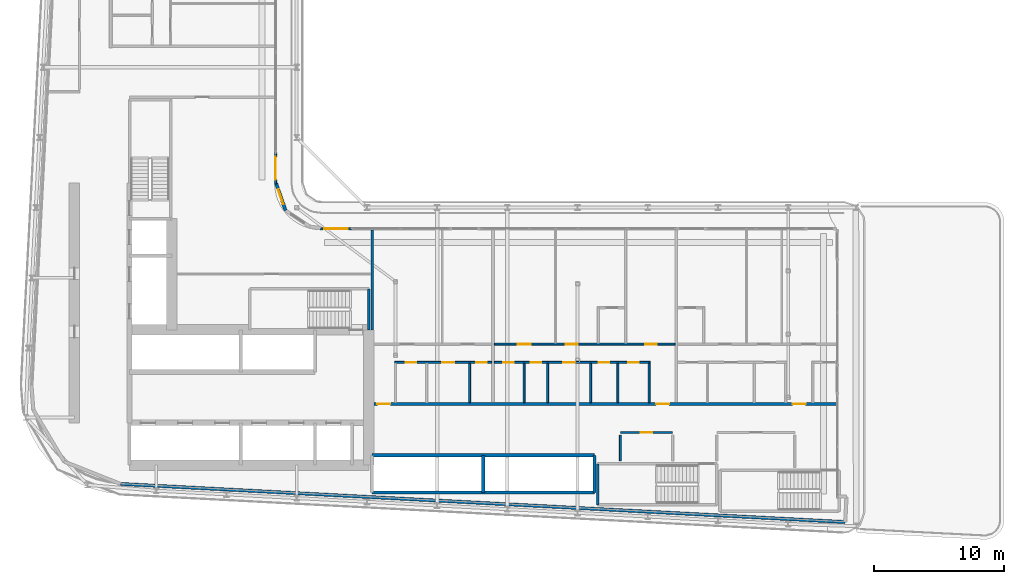
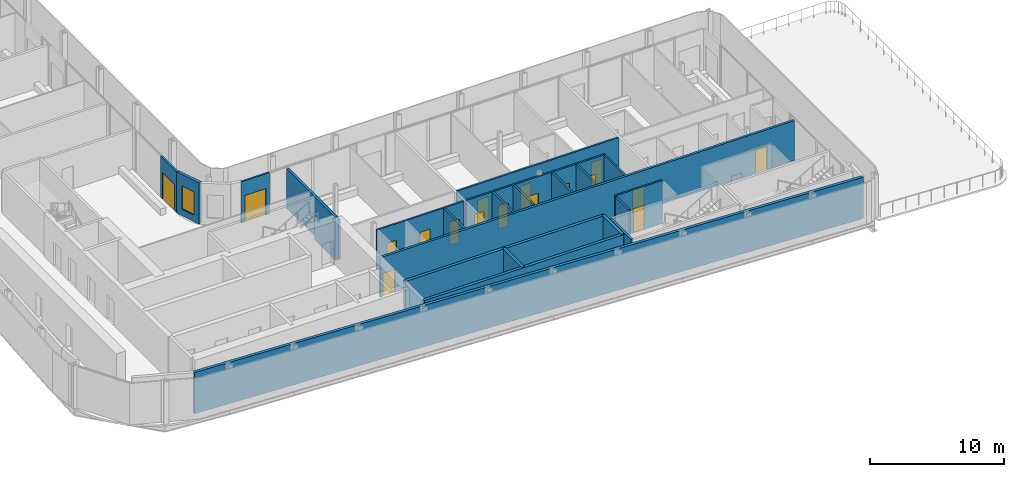
# One storey, part 14 of 27: 23 walls, 17 doors, 1 window, 18 openings.
"""IFC4 building model written with IfcOpenShell, lengths in metres."""

from ifc_helpers import new_model, si_unit, direction, frame, frame_2d, origin, place, context, subcontext, project, spatial, rectangle, extrude, source, transform, mapped, material, layer, layer_set, type_object, element, fill, save


model = new_model("IFC4")

# Units and contexts
model_context = context("Model", 3, precision=1e-05, world=origin(), true_north=direction((0.0, 1.0)))
body_context = subcontext(model_context, "Body", "Model", "MODEL_VIEW")
ifc_project = project(units=[si_unit("LENGTHUNIT", "METRE"), si_unit("AREAUNIT", "SQUARE_METRE"), si_unit("VOLUMEUNIT", "CUBIC_METRE"), si_unit("PLANEANGLEUNIT", "RADIAN"), si_unit("MASSUNIT", "GRAM", prefix="KILO")], contexts=[model_context])

# Site, building, storey
site_placement = place(None, origin())
site = spatial("IfcSite", under=ifc_project, at=site_placement, CompositionType="ELEMENT")
building_placement = place(site_placement, origin())
building = spatial("IfcBuilding", under=site, at=building_placement, Name="Kheshtan School and Residences Tower", CompositionType="ELEMENT")
storey_placement = place(building_placement, frame((0.0, 0.0, 152.60009765625)))
storey = spatial("IfcBuildingStorey", under=building, at=storey_placement, Name="L35", CompositionType="ELEMENT", Elevation=152.60009765625)

# Wall, openings, doors
ifc_material_1 = material(Name="Gypsum board on steel studs with fire boards", Category="steel")
ifc_layer_1 = layer(ifc_material_1, 0.199951171875)
ifc_layer_set_1 = layer_set([ifc_layer_1], Name="Corridor wall 200")
wall_type_1 = type_object("IfcWallType", Name="Corridor wall 200", PredefinedType="PARTITIONING", material=ifc_layer_set_1)
wall_1_placement = place(storey_placement, frame((53.549072265625, 30.5, 0.0), z_axis=(0.0, 0.0, 1.0), x_axis=(1.0, 0.0, 0.0)))
wall_1 = element("IfcWall", 1, at=wall_1_placement, inside=storey, type_object=wall_type_1, Name="Partition L35-031", PredefinedType="PARTITIONING", context=body_context, shape_type="SweptSolid", body=[
    extrude(rectangle(XDim=35.551025390625, YDim=0.199951171875, at=frame_2d((17.775390625, 0.0))), origin(), (0.0, 0.0, 1.0), 3.599853515625),
])
opening_1_placement = place(wall_1_placement, frame((0.2509765625, 0.0, 0.0)))
opening_1 = element("IfcOpeningElement", 2, at=opening_1_placement, cuts=wall_1, Name="Opening D35-003", PredefinedType="OPENING", context=body_context, shape_type="SweptSolid", body=[
    extrude(rectangle(XDim=1.0, YDim=2.10009765625, at=frame_2d((0.5, 1.050048828125))), frame((0.0, 0.10986328125, 0.0), z_axis=(0.0, -1.0, 0.0), x_axis=(1.0, 0.0, 0.0)), (0.0, 0.0, 1.0), 0.219970703125),
])
opening_2_placement = place(wall_1_placement, frame((21.700927734375, 0.0, 0.0)))
opening_2 = element("IfcOpeningElement", 3, at=opening_2_placement, cuts=wall_1, Name="Opening D35-011", PredefinedType="OPENING", context=body_context, shape_type="SweptSolid", body=[
    extrude(rectangle(XDim=1.0, YDim=2.10009765625, at=frame_2d((0.5, 1.050048828125))), frame((0.0, 0.10986328125, 0.0), z_axis=(0.0, -1.0, 0.0), x_axis=(1.0, 0.0, 0.0)), (0.0, 0.0, 1.0), 0.219970703125),
])
opening_3_placement = place(wall_1_placement, frame((32.200927734375, 0.0, 0.0)))
opening_3 = element("IfcOpeningElement", 4, at=opening_3_placement, cuts=wall_1, Name="Opening D35-021", PredefinedType="OPENING", context=body_context, shape_type="SweptSolid", body=[
    extrude(rectangle(XDim=1.0, YDim=2.10009765625, at=frame_2d((0.5, 1.050048828125))), frame((0.0, 0.10986328125, 0.0), z_axis=(0.0, -1.0, 0.0), x_axis=(1.0, 0.0, 0.0)), (0.0, 0.0, 1.0), 0.219970703125),
])
ifc_material_2 = material(Name="Steel-framed fire-resisting door leaf", Category="steel")
door_type_1 = type_object("IfcDoorType", Name="Fire door FD30S 1000 x 2100", OperationType="SINGLE_SWING_LEFT", PredefinedType="DOOR", material=ifc_material_2)
shared_shape_1 = source(origin(), body_context, "Body", "SweptSolid", [
    extrude(rectangle(XDim=1.0, YDim=2.10009765625, at=frame_2d((0.5, 1.050048828125))), frame((0.0, 0.02490234375, 0.0), z_axis=(0.0, -1.0, 0.0), x_axis=(1.0, 0.0, 0.0)), (0.0, 0.0, 1.0), 0.050048828125),
])
door_1_placement = place(opening_1_placement, origin())
door_1 = element("IfcDoor", 5, at=door_1_placement, inside=storey, type_object=door_type_1, Name="Door D35-003", OperationType="SINGLE_SWING_LEFT", OverallHeight=2.10009765625, OverallWidth=1.0, PredefinedType="DOOR", context=body_context, shape_type="MappedRepresentation", body=[
    mapped(shared_shape_1, transform((0.0, 0.0, 0.0), x_axis=(1.0, 0.0, 0.0), y_axis=(0.0, 1.0, 0.0), z_axis=(0.0, 0.0, 1.0), scale=1.0)),
])
fill(opening_1, door_1)
door_2_placement = place(opening_2_placement, origin())
door_2 = element("IfcDoor", 6, at=door_2_placement, inside=storey, type_object=door_type_1, Name="Door D35-011", OperationType="SINGLE_SWING_LEFT", OverallHeight=2.10009765625, OverallWidth=1.0, PredefinedType="DOOR", context=body_context, shape_type="MappedRepresentation", body=[
    mapped(shared_shape_1, transform((0.0, 0.0, 0.0), x_axis=(1.0, 0.0, 0.0), y_axis=(0.0, 1.0, 0.0), z_axis=(0.0, 0.0, 1.0), scale=1.0)),
])
fill(opening_2, door_2)
door_3_placement = place(opening_3_placement, origin())
door_3 = element("IfcDoor", 7, at=door_3_placement, inside=storey, type_object=door_type_1, Name="Door D35-021", OperationType="SINGLE_SWING_RIGHT", OverallHeight=2.10009765625, OverallWidth=1.0, PredefinedType="DOOR", context=body_context, shape_type="MappedRepresentation", body=[
    mapped(shared_shape_1, transform((0.0, 0.0, 0.0), x_axis=(1.0, 0.0, 0.0), y_axis=(0.0, 1.0, 0.0), z_axis=(0.0, 0.0, 1.0), scale=1.0)),
])
fill(opening_3, door_3)

# Wall, opening, window
ifc_material_3 = material(Name="Concrete C40/50 with ceramic cladding and mineral wool insulation", Category="concrete")
ifc_layer_2 = layer(ifc_material_3, 0.25)
ifc_layer_set_2 = layer_set([ifc_layer_2], Name="External wall 250 ceramic clad")
wall_type_2 = type_object("IfcWallType", Name="External wall 250 ceramic clad", PredefinedType="SOLIDWALL", material=ifc_layer_set_2)
wall_2_placement = place(storey_placement, frame((46.01806640625, 47.470947265625, 0.0), z_axis=(0.0, 0.0, 1.0), x_axis=(0.328791208903, -0.944402637093, 0.0)))
wall_2 = element("IfcWall", 8, at=wall_2_placement, inside=storey, type_object=wall_type_2, Name="External wall L35 9", PredefinedType="SOLIDWALL", context=body_context, shape_type="SweptSolid", body=[
    extrude(rectangle(XDim=2.20458984375, YDim=0.25, at=frame_2d((1.102294921875, 0.0))), origin(), (0.0, 0.0, 1.0), 3.75),
])
opening_4_placement = place(wall_2_placement, frame((0.5029296875, 0.0, 0.60009765625)))
opening_4 = element("IfcOpeningElement", 9, at=opening_4_placement, cuts=wall_2, Name="Opening WN-E", PredefinedType="OPENING", context=body_context, shape_type="SweptSolid", body=[
    extrude(rectangle(XDim=1.199951171875, YDim=2.10009765625, at=frame_2d((0.60009765625, 1.050048828125))), frame((0.0, 0.135009765625, 0.0), z_axis=(0.0, -1.0, 0.0), x_axis=(1.0, 0.0, 0.0)), (0.0, 0.0, 1.0), 0.27001953125),
])
ifc_material_4 = material(Name="Clear low-e glass in thermally broken aluminium frame", Category="aluminium")
window_type = type_object("IfcWindowType", Name="Window WN-E", PartitioningType="SINGLE_PANEL", PredefinedType="WINDOW", material=ifc_material_4)
shared_shape_2 = source(origin(), body_context, "Body", "SweptSolid", [
    extrude(rectangle(XDim=1.199951171875, YDim=2.10009765625, at=frame_2d((0.60009765625, 1.050048828125))), frame((0.0, 0.030029296875, 0.0), z_axis=(0.0, -1.0, 0.0), x_axis=(1.0, 0.0, 0.0)), (0.0, 0.0, 1.0), 0.06005859375),
])
window_placement = place(opening_4_placement, origin())
window = element("IfcWindow", 10, at=window_placement, inside=storey, type_object=window_type, Name="Window L35 9", OverallHeight=2.10009765625, OverallWidth=1.199951171875, PartitioningType="SINGLE_PANEL", PredefinedType="WINDOW", context=body_context, shape_type="MappedRepresentation", body=[
    mapped(shared_shape_2, transform((0.0, 0.0, 0.0), x_axis=(1.0, 0.0, 0.0), y_axis=(0.0, 1.0, 0.0), z_axis=(0.0, 0.0, 1.0), scale=1.0)),
])
fill(opening_4, window)

# Wall
wall_3_placement = place(storey_placement, frame((89.785888671875, 21.4189453125, 0.0), z_axis=(0.0, 0.0, 1.0), x_axis=(-0.998617793089, 0.052559521752, 0.0)))
element("IfcWall", 11, at=wall_3_placement, inside=storey, type_object=wall_type_2, Name="External wall L35 16", PredefinedType="SOLIDWALL", context=body_context, shape_type="SweptSolid", body=[
    extrude(rectangle(XDim=55.823974609375, YDim=0.25, at=frame_2d((27.912109375, 0.0))), origin(), (0.0, 0.0, 1.0), 3.75),
])

# Wall, opening, door
ifc_material_5 = material(Name="Aluminium frame wall with insulated infill", Category="aluminium")
ifc_layer_3 = layer(ifc_material_5, 0.14990234375)
ifc_layer_set_3 = layer_set([ifc_layer_3], Name="Glazing frame wall 150")
wall_type_3 = type_object("IfcWallType", Name="Glazing frame wall 150", PredefinedType="SOLIDWALL", material=ifc_layer_set_3)
wall_4_placement = place(storey_placement, frame((45.97509765625, 49.830078125, 0.0), z_axis=(0.0, 0.0, 1.0), x_axis=(0.0, -1.0, 0.0)))
wall_4 = element("IfcWall", 12, at=wall_4_placement, inside=storey, type_object=wall_type_3, Name="Balcony door wall L35 8.5", PredefinedType="SOLIDWALL", context=body_context, shape_type="SweptSolid", body=[
    extrude(rectangle(XDim=2.400146484375, YDim=0.14990234375, at=frame_2d((1.2001953125, 0.0))), origin(), (0.0, 0.0, 1.0), 3.75),
])
opening_5_placement = place(wall_4_placement, frame((0.300048828125, 0.0, 0.0)))
opening_5 = element("IfcOpeningElement", 13, at=opening_5_placement, cuts=wall_4, Name="Opening BD", PredefinedType="OPENING", context=body_context, shape_type="SweptSolid", body=[
    extrude(rectangle(XDim=1.800048828125, YDim=2.39990234375, at=frame_2d((0.89990234375, 1.199951171875))), frame((0.0, 0.0849609375, 0.0), z_axis=(0.0, -1.0, 0.0), x_axis=(1.0, 0.0, 0.0)), (0.0, 0.0, 1.0), 0.169921875),
])
door_type_2 = type_object("IfcDoorType", Name="Balcony sliding door", OperationType="SLIDING_TO_LEFT", PredefinedType="DOOR", material=ifc_material_4)
shared_shape_3 = source(origin(), body_context, "Body", "SweptSolid", [
    extrude(rectangle(XDim=1.800048828125, YDim=2.39990234375, at=frame_2d((0.89990234375, 1.199951171875))), frame((0.0, 0.02490234375, 0.0), z_axis=(0.0, -1.0, 0.0), x_axis=(1.0, 0.0, 0.0)), (0.0, 0.0, 1.0), 0.050048828125),
])
door_4_placement = place(opening_5_placement, origin())
door_4 = element("IfcDoor", 14, at=door_4_placement, inside=storey, type_object=door_type_2, Name="Balcony door L35 8.5", OperationType="SLIDING_TO_LEFT", OverallHeight=2.39990234375, OverallWidth=1.800048828125, PredefinedType="DOOR", context=body_context, shape_type="MappedRepresentation", body=[
    mapped(shared_shape_3, transform((0.0, 0.0, 0.0), x_axis=(1.0, 0.0, 0.0), y_axis=(0.0, 1.0, 0.0), z_axis=(0.0, 0.0, 1.0), scale=1.0)),
])
fill(opening_5, door_4)

wall_5_placement = place(storey_placement, frame((49.429931640625, 43.97509765625, 0.0), z_axis=(0.0, 0.0, 1.0), x_axis=(1.0, 0.0, 0.0)))
wall_5 = element("IfcWall", 15, at=wall_5_placement, inside=storey, type_object=wall_type_3, Name="Balcony door wall L35 12.1", PredefinedType="SOLIDWALL", context=body_context, shape_type="SweptSolid", body=[
    extrude(rectangle(XDim=2.400146484375, YDim=0.14990234375, at=frame_2d((1.2001953125, 0.0))), origin(), (0.0, 0.0, 1.0), 3.75),
])
opening_6_placement = place(wall_5_placement, frame((0.300048828125, 0.0, 0.0)))
opening_6 = element("IfcOpeningElement", 16, at=opening_6_placement, cuts=wall_5, Name="Opening BD", PredefinedType="OPENING", context=body_context, shape_type="SweptSolid", body=[
    extrude(rectangle(XDim=1.800048828125, YDim=2.39990234375, at=frame_2d((0.89990234375, 1.199951171875))), frame((0.0, 0.0849609375, 0.0), z_axis=(0.0, -1.0, 0.0), x_axis=(1.0, 0.0, 0.0)), (0.0, 0.0, 1.0), 0.169921875),
])
door_5_placement = place(opening_6_placement, origin())
door_5 = element("IfcDoor", 17, at=door_5_placement, inside=storey, type_object=door_type_2, Name="Balcony door L35 12.1", OperationType="SLIDING_TO_LEFT", OverallHeight=2.39990234375, OverallWidth=1.800048828125, PredefinedType="DOOR", context=body_context, shape_type="MappedRepresentation", body=[
    mapped(shared_shape_3, transform((0.0, 0.0, 0.0), x_axis=(1.0, 0.0, 0.0), y_axis=(0.0, 1.0, 0.0), z_axis=(0.0, 0.0, 1.0), scale=1.0)),
])
fill(opening_6, door_5)

ifc_material_6 = material(Name="Fire-board shaft wall system")
ifc_layer_4 = layer(ifc_material_6, 0.14990234375)
ifc_layer_set_4 = layer_set([ifc_layer_4], Name="Service room wall 150")
wall_type_4 = type_object("IfcWallType", Name="Service room wall 150", PredefinedType="PARTITIONING", material=ifc_layer_set_4)
wall_6_placement = place(storey_placement, frame((72.491943359375, 28.300048828125, 0.0), z_axis=(0.0, 0.0, 1.0), x_axis=(1.0, 0.0, 0.0)))
wall_6 = element("IfcWall", 18, at=wall_6_placement, inside=storey, type_object=wall_type_4, Name="Service room wall", PredefinedType="PARTITIONING", context=body_context, shape_type="SweptSolid", body=[
    extrude(rectangle(XDim=4.01806640625, YDim=0.14990234375, at=frame_2d((2.009033203125, 0.0))), origin(), (0.0, 0.0, 1.0), 3.89990234375),
])
opening_7_placement = place(wall_6_placement, frame((1.55908203125, 0.0, 0.0)))
opening_7 = element("IfcOpeningElement", 19, at=opening_7_placement, cuts=wall_6, Name="Opening SR90", PredefinedType="OPENING", context=body_context, shape_type="SweptSolid", body=[
    extrude(rectangle(XDim=0.89990234375, YDim=2.199951171875, at=frame_2d((0.449951171875, 1.10009765625))), frame((0.0, 0.0849609375, 0.0), z_axis=(0.0, -1.0, 0.0), x_axis=(1.0, 0.0, 0.0)), (0.0, 0.0, 1.0), 0.169921875),
])
ifc_material_7 = material(Name="Steel door leaf, galvanised", Category="steel")
door_type_3 = type_object("IfcDoorType", Name="Service room door 900 steel 90 min", OperationType="SINGLE_SWING_LEFT", PredefinedType="DOOR", material=ifc_material_7)
shared_shape_4 = source(origin(), body_context, "Body", "SweptSolid", [
    extrude(rectangle(XDim=0.89990234375, YDim=2.199951171875, at=frame_2d((0.449951171875, 1.10009765625))), frame((0.0, 0.02490234375, 0.0), z_axis=(0.0, -1.0, 0.0), x_axis=(1.0, 0.0, 0.0)), (0.0, 0.0, 1.0), 0.050048828125),
])
door_6_placement = place(opening_7_placement, origin())
door_6 = element("IfcDoor", 20, at=door_6_placement, inside=storey, type_object=door_type_3, Name="Service room door", OperationType="SINGLE_SWING_LEFT", OverallHeight=2.199951171875, OverallWidth=0.89990234375, PredefinedType="DOOR", context=body_context, shape_type="MappedRepresentation", body=[
    mapped(shared_shape_4, transform((0.0, 0.0, 0.0), x_axis=(1.0, 0.0, 0.0), y_axis=(0.0, 1.0, 0.0), z_axis=(0.0, 0.0, 1.0), scale=1.0)),
])
fill(opening_7, door_6)

# Walls
wall_7_placement = place(storey_placement, frame((72.491943359375, 26.1201171875, 0.0), z_axis=(0.0, 0.0, 1.0), x_axis=(0.0, 1.0, 0.0)))
element("IfcWall", 21, at=wall_7_placement, inside=storey, type_object=wall_type_4, Name="Service room wall", PredefinedType="PARTITIONING", context=body_context, shape_type="SweptSolid", body=[
    extrude(rectangle(XDim=1.98486328125, YDim=0.14990234375, at=frame_2d((0.992431640625, 0.0))), origin(), (0.0, 0.0, 1.0), 3.89990234375),
])
ifc_layer_5 = layer(ifc_material_6, 0.25)
ifc_layer_set_5 = layer_set([ifc_layer_5], Name="Shaft lining wall 250")
wall_type_5 = type_object("IfcWallType", Name="Shaft lining wall 250", PredefinedType="PARTITIONING", material=ifc_layer_set_5)
for number, where, z_axis, x_axis, name in (
    (22, (61.949951171875, 23.699951171875, 0.0), (0.0, 0.0, 1.0), (0.0, 1.0, 0.0), "Shaft lining wall"),
    (23, (70.5, 23.699951171875, 0.0), (0.0, 0.0, 1.0), (0.0, 1.0, 0.0), "Shaft lining wall"),
):
    element("IfcWall", number, at=place(storey_placement, frame(where, z_axis=z_axis, x_axis=x_axis)), inside=storey, type_object=wall_type_5, Name=name, PredefinedType="PARTITIONING", context=body_context, shape_type="SweptSolid", body=[
        extrude(rectangle(XDim=2.85009765625, YDim=0.25, at=frame_2d((1.425048828125, 0.0))), origin(), (0.0, 0.0, 1.0), 3.89990234375),
    ])
for number, where, z_axis, x_axis, name in (
    (24, (53.39990234375, 23.699951171875, 0.0), (0.0, 0.0, 1.0), (1.0, 0.0, 0.0), "Shaft lining wall"),
    (25, (53.39990234375, 26.550048828125, 0.0), (0.0, 0.0, 1.0), (1.0, 0.0, 0.0), "Shaft lining wall"),
):
    element("IfcWall", number, at=place(storey_placement, frame(where, z_axis=z_axis, x_axis=x_axis)), inside=storey, type_object=wall_type_5, Name=name, PredefinedType="PARTITIONING", context=body_context, shape_type="SweptSolid", body=[
        extrude(rectangle(XDim=17.10009765625, YDim=0.25, at=frame_2d((8.550048828125, 0.0))), origin(), (0.0, 0.0, 1.0), 3.89990234375),
    ])
ifc_material_8 = material(Name="Concrete C40/50", Category="concrete")
ifc_layer_6 = layer(ifc_material_8, 0.199951171875)
ifc_layer_set_6 = layer_set([ifc_layer_6], Name="Stair enclosure wall 200 Concrete C40/50")
wall_type_6 = type_object("IfcWallType", Name="Stair enclosure wall 200 Concrete C40/50", PredefinedType="SHEAR", material=ifc_layer_set_6)
wall_8_placement = place(storey_placement, frame((53.14990234375, 36.199951171875, 0.0), z_axis=(0.0, 0.0, 1.0), x_axis=(0.0, 1.0, 0.0)))
element("IfcWall", 26, at=wall_8_placement, inside=storey, type_object=wall_type_6, Name="Stair enclosure wall ST1", PredefinedType="SHEAR", context=body_context, shape_type="SweptSolid", body=[
    extrude(rectangle(XDim=3.150146484375, YDim=0.199951171875, at=frame_2d((1.5751953125, 0.0))), origin(), (0.0, 0.0, 1.0), 3.89990234375),
])
wall_9_placement = place(storey_placement, frame((70.75, 22.75, 0.0), z_axis=(0.0, 0.0, 1.0), x_axis=(0.0, 1.0, 0.0)))
element("IfcWall", 27, at=wall_9_placement, inside=storey, type_object=wall_type_6, Name="Stair enclosure wall ST5", PredefinedType="SHEAR", context=body_context, shape_type="SweptSolid", body=[
    extrude(rectangle(XDim=3.14990234375, YDim=0.199951171875, at=frame_2d((1.574951171875, 0.0))), origin(), (0.0, 0.0, 1.0), 3.89990234375),
])
ifc_material_9 = material(Name="Twin gypsum board on steel studs with mineral wool", Category="steel")
ifc_layer_7 = layer(ifc_material_9, 0.199951171875)
ifc_layer_set_7 = layer_set([ifc_layer_7], Name="Unit demising wall 200")
wall_type_7 = type_object("IfcWallType", Name="Unit demising wall 200", PredefinedType="PARTITIONING", material=ifc_layer_set_7)
wall_10_placement = place(storey_placement, frame((53.39990234375, 36.198974609375, 0.0), z_axis=(0.0, 0.0, 1.0), x_axis=(0.0, 1.0, 0.0)))
element("IfcWall", 28, at=wall_10_placement, inside=storey, type_object=wall_type_7, Name="Partition L35-030", PredefinedType="PARTITIONING", context=body_context, shape_type="SweptSolid", body=[
    extrude(rectangle(XDim=7.700927734375, YDim=0.199951171875, at=frame_2d((3.8505859375, 0.0))), origin(), (0.0, 0.0, 1.0), 3.599853515625),
])

# Wall, openings, doors
ifc_material_10 = material(Name="Moisture-resistant gypsum board on steel studs", Category="steel")
ifc_layer_8 = layer(ifc_material_10, 0.14990234375)
ifc_layer_set_8 = layer_set([ifc_layer_8], Name="Wet-room partition 150")
wall_type_8 = type_object("IfcWallType", Name="Wet-room partition 150", PredefinedType="PARTITIONING", material=ifc_layer_set_8)
wall_11_placement = place(storey_placement, frame((55.125, 33.699951171875, 0.0), z_axis=(0.0, 0.0, 1.0), x_axis=(1.0, 0.0, 0.0)))
wall_11 = element("IfcWall", 29, at=wall_11_placement, inside=storey, type_object=wall_type_8, Name="Partition L35-033", PredefinedType="PARTITIONING", context=body_context, shape_type="SweptSolid", body=[
    extrude(rectangle(XDim=7.47509765625, YDim=0.14990234375, at=frame_2d((3.737548828125, 0.0))), origin(), (0.0, 0.0, 1.0), 3.599853515625),
])
opening_8_placement = place(wall_11_placement, frame((0.875, 0.0, 0.0)))
opening_8 = element("IfcOpeningElement", 30, at=opening_8_placement, cuts=wall_11, Name="Opening D35-001", PredefinedType="OPENING", context=body_context, shape_type="SweptSolid", body=[
    extrude(rectangle(XDim=0.800048828125, YDim=2.10009765625, at=frame_2d((0.39990234375, 1.050048828125))), frame((0.0, 0.0849609375, 0.0), z_axis=(0.0, -1.0, 0.0), x_axis=(1.0, 0.0, 0.0)), (0.0, 0.0, 1.0), 0.169921875),
])
opening_9_placement = place(wall_11_placement, frame((3.675048828125, 0.0, 0.0)))
opening_9 = element("IfcOpeningElement", 31, at=opening_9_placement, cuts=wall_11, Name="Opening D35-004", PredefinedType="OPENING", context=body_context, shape_type="SweptSolid", body=[
    extrude(rectangle(XDim=0.89990234375, YDim=2.10009765625, at=frame_2d((0.449951171875, 1.050048828125))), frame((0.0, 0.0849609375, 0.0), z_axis=(0.0, -1.0, 0.0), x_axis=(1.0, 0.0, 0.0)), (0.0, 0.0, 1.0), 0.169921875),
])
opening_10_placement = place(wall_11_placement, frame((6.27490234375, 0.0, 0.0)))
opening_10 = element("IfcOpeningElement", 32, at=opening_10_placement, cuts=wall_11, Name="Opening D35-006", PredefinedType="OPENING", context=body_context, shape_type="SweptSolid", body=[
    extrude(rectangle(XDim=0.800048828125, YDim=2.10009765625, at=frame_2d((0.39990234375, 1.050048828125))), frame((0.0, 0.0849609375, 0.0), z_axis=(0.0, -1.0, 0.0), x_axis=(1.0, 0.0, 0.0)), (0.0, 0.0, 1.0), 0.169921875),
])
ifc_material_11 = material(Name="Veneered timber door leaf", Category="wood")
door_type_4 = type_object("IfcDoorType", Name="Door 800 x 2100", OperationType="SINGLE_SWING_LEFT", PredefinedType="DOOR", material=ifc_material_11)
shared_shape_5 = source(origin(), body_context, "Body", "SweptSolid", [
    extrude(rectangle(XDim=0.800048828125, YDim=2.10009765625, at=frame_2d((0.39990234375, 1.050048828125))), frame((0.0, 0.02490234375, 0.0), z_axis=(0.0, -1.0, 0.0), x_axis=(1.0, 0.0, 0.0)), (0.0, 0.0, 1.0), 0.050048828125),
])
door_7_placement = place(opening_8_placement, origin())
door_7 = element("IfcDoor", 33, at=door_7_placement, inside=storey, type_object=door_type_4, Name="Door D35-001", OperationType="SINGLE_SWING_RIGHT", OverallHeight=2.10009765625, OverallWidth=0.800048828125, PredefinedType="DOOR", context=body_context, shape_type="MappedRepresentation", body=[
    mapped(shared_shape_5, transform((0.0, 0.0, 0.0), x_axis=(1.0, 0.0, 0.0), y_axis=(0.0, 1.0, 0.0), z_axis=(0.0, 0.0, 1.0), scale=1.0)),
])
fill(opening_8, door_7)
door_8_placement = place(opening_10_placement, origin())
door_8 = element("IfcDoor", 34, at=door_8_placement, inside=storey, type_object=door_type_4, Name="Door D35-006", OperationType="SINGLE_SWING_RIGHT", OverallHeight=2.10009765625, OverallWidth=0.800048828125, PredefinedType="DOOR", context=body_context, shape_type="MappedRepresentation", body=[
    mapped(shared_shape_5, transform((0.0, 0.0, 0.0), x_axis=(1.0, 0.0, 0.0), y_axis=(0.0, 1.0, 0.0), z_axis=(0.0, 0.0, 1.0), scale=1.0)),
])
fill(opening_10, door_8)
door_type_5 = type_object("IfcDoorType", Name="Door 900 x 2100", OperationType="SINGLE_SWING_LEFT", PredefinedType="DOOR", material=ifc_material_11)
shared_shape_6 = source(origin(), body_context, "Body", "SweptSolid", [
    extrude(rectangle(XDim=0.89990234375, YDim=2.10009765625, at=frame_2d((0.449951171875, 1.050048828125))), frame((0.0, 0.02490234375, 0.0), z_axis=(0.0, -1.0, 0.0), x_axis=(1.0, 0.0, 0.0)), (0.0, 0.0, 1.0), 0.050048828125),
])
door_9_placement = place(opening_9_placement, origin())
door_9 = element("IfcDoor", 35, at=door_9_placement, inside=storey, type_object=door_type_5, Name="Door D35-004", OperationType="SINGLE_SWING_RIGHT", OverallHeight=2.10009765625, OverallWidth=0.89990234375, PredefinedType="DOOR", context=body_context, shape_type="MappedRepresentation", body=[
    mapped(shared_shape_6, transform((0.0, 0.0, 0.0), x_axis=(1.0, 0.0, 0.0), y_axis=(0.0, 1.0, 0.0), z_axis=(0.0, 0.0, 1.0), scale=1.0)),
])
fill(opening_9, door_9)

# Wall
wall_12_placement = place(storey_placement, frame((60.89990234375, 30.60009765625, 0.0), z_axis=(0.0, 0.0, 1.0), x_axis=(0.0, 1.0, 0.0)))
element("IfcWall", 36, at=wall_12_placement, inside=storey, type_object=wall_type_8, Name="Partition L35-037", PredefinedType="PARTITIONING", context=body_context, shape_type="SweptSolid", body=[
    extrude(rectangle(XDim=3.02490234375, YDim=0.14990234375, at=frame_2d((1.512451171875, 0.0))), origin(), (0.0, 0.0, 1.0), 3.599853515625),
])

# Wall, openings, doors
wall_13_placement = place(storey_placement, frame((62.800048828125, 33.699951171875, 0.0), z_axis=(0.0, 0.0, 1.0), x_axis=(1.0, 0.0, 0.0)))
wall_13 = element("IfcWall", 37, at=wall_13_placement, inside=storey, type_object=wall_type_8, Name="Partition L35-039", PredefinedType="PARTITIONING", context=body_context, shape_type="SweptSolid", body=[
    extrude(rectangle(XDim=11.974853515625, YDim=0.14990234375, at=frame_2d((5.9873046875, 0.0))), origin(), (0.0, 0.0, 1.0), 3.599853515625),
])
opening_11_placement = place(wall_13_placement, frame((10.300048828125, 0.0, 0.0)))
opening_11 = element("IfcOpeningElement", 38, at=opening_11_placement, cuts=wall_13, Name="Opening D35-007", PredefinedType="OPENING", context=body_context, shape_type="SweptSolid", body=[
    extrude(rectangle(XDim=0.800048828125, YDim=2.10009765625, at=frame_2d((0.39990234375, 1.050048828125))), frame((0.0, 0.0849609375, 0.0), z_axis=(0.0, -1.0, 0.0), x_axis=(1.0, 0.0, 0.0)), (0.0, 0.0, 1.0), 0.169921875),
])
opening_12_placement = place(wall_13_placement, frame((0.699951171875, 0.0, 0.0)))
opening_12 = element("IfcOpeningElement", 39, at=opening_12_placement, cuts=wall_13, Name="Opening D35-009", PredefinedType="OPENING", context=body_context, shape_type="SweptSolid", body=[
    extrude(rectangle(XDim=0.800048828125, YDim=2.10009765625, at=frame_2d((0.39990234375, 1.050048828125))), frame((0.0, 0.0849609375, 0.0), z_axis=(0.0, -1.0, 0.0), x_axis=(1.0, 0.0, 0.0)), (0.0, 0.0, 1.0), 0.169921875),
])
opening_13_placement = place(wall_13_placement, frame((5.300048828125, 0.0, 0.0)))
opening_13 = element("IfcOpeningElement", 40, at=opening_13_placement, cuts=wall_13, Name="Opening D35-012", PredefinedType="OPENING", context=body_context, shape_type="SweptSolid", body=[
    extrude(rectangle(XDim=0.89990234375, YDim=2.10009765625, at=frame_2d((0.449951171875, 1.050048828125))), frame((0.0, 0.0849609375, 0.0), z_axis=(0.0, -1.0, 0.0), x_axis=(1.0, 0.0, 0.0)), (0.0, 0.0, 1.0), 0.169921875),
])
opening_14_placement = place(wall_13_placement, frame((8.050048828125, 0.0, 0.0)))
opening_14 = element("IfcOpeningElement", 41, at=opening_14_placement, cuts=wall_13, Name="Opening D35-013", PredefinedType="OPENING", context=body_context, shape_type="SweptSolid", body=[
    extrude(rectangle(XDim=0.800048828125, YDim=2.10009765625, at=frame_2d((0.39990234375, 1.050048828125))), frame((0.0, 0.0849609375, 0.0), z_axis=(0.0, -1.0, 0.0), x_axis=(1.0, 0.0, 0.0)), (0.0, 0.0, 1.0), 0.169921875),
])
opening_15_placement = place(wall_13_placement, frame((2.800048828125, 0.0, 0.0)))
opening_15 = element("IfcOpeningElement", 42, at=opening_15_placement, cuts=wall_13, Name="Opening D35-016", PredefinedType="OPENING", context=body_context, shape_type="SweptSolid", body=[
    extrude(rectangle(XDim=0.800048828125, YDim=2.10009765625, at=frame_2d((0.39990234375, 1.050048828125))), frame((0.0, 0.0849609375, 0.0), z_axis=(0.0, -1.0, 0.0), x_axis=(1.0, 0.0, 0.0)), (0.0, 0.0, 1.0), 0.169921875),
])
door_10_placement = place(opening_11_placement, origin())
door_10 = element("IfcDoor", 43, at=door_10_placement, inside=storey, type_object=door_type_4, Name="Door D35-007", OperationType="SINGLE_SWING_RIGHT", OverallHeight=2.10009765625, OverallWidth=0.800048828125, PredefinedType="DOOR", context=body_context, shape_type="MappedRepresentation", body=[
    mapped(shared_shape_5, transform((0.0, 0.0, 0.0), x_axis=(1.0, 0.0, 0.0), y_axis=(0.0, 1.0, 0.0), z_axis=(0.0, 0.0, 1.0), scale=1.0)),
])
fill(opening_11, door_10)
door_11_placement = place(opening_12_placement, origin())
door_11 = element("IfcDoor", 44, at=door_11_placement, inside=storey, type_object=door_type_4, Name="Door D35-009", OperationType="SINGLE_SWING_RIGHT", OverallHeight=2.10009765625, OverallWidth=0.800048828125, PredefinedType="DOOR", context=body_context, shape_type="MappedRepresentation", body=[
    mapped(shared_shape_5, transform((0.0, 0.0, 0.0), x_axis=(1.0, 0.0, 0.0), y_axis=(0.0, 1.0, 0.0), z_axis=(0.0, 0.0, 1.0), scale=1.0)),
])
fill(opening_12, door_11)
door_12_placement = place(opening_14_placement, origin())
door_12 = element("IfcDoor", 45, at=door_12_placement, inside=storey, type_object=door_type_4, Name="Door D35-013", OperationType="SINGLE_SWING_LEFT", OverallHeight=2.10009765625, OverallWidth=0.800048828125, PredefinedType="DOOR", context=body_context, shape_type="MappedRepresentation", body=[
    mapped(shared_shape_5, transform((0.0, 0.0, 0.0), x_axis=(1.0, 0.0, 0.0), y_axis=(0.0, 1.0, 0.0), z_axis=(0.0, 0.0, 1.0), scale=1.0)),
])
fill(opening_14, door_12)
door_13_placement = place(opening_15_placement, origin())
door_13 = element("IfcDoor", 46, at=door_13_placement, inside=storey, type_object=door_type_4, Name="Door D35-016", OperationType="SINGLE_SWING_LEFT", OverallHeight=2.10009765625, OverallWidth=0.800048828125, PredefinedType="DOOR", context=body_context, shape_type="MappedRepresentation", body=[
    mapped(shared_shape_5, transform((0.0, 0.0, 0.0), x_axis=(1.0, 0.0, 0.0), y_axis=(0.0, 1.0, 0.0), z_axis=(0.0, 0.0, 1.0), scale=1.0)),
])
fill(opening_15, door_13)
door_14_placement = place(opening_13_placement, origin())
door_14 = element("IfcDoor", 47, at=door_14_placement, inside=storey, type_object=door_type_5, Name="Door D35-012", OperationType="SINGLE_SWING_RIGHT", OverallHeight=2.10009765625, OverallWidth=0.89990234375, PredefinedType="DOOR", context=body_context, shape_type="MappedRepresentation", body=[
    mapped(shared_shape_6, transform((0.0, 0.0, 0.0), x_axis=(1.0, 0.0, 0.0), y_axis=(0.0, 1.0, 0.0), z_axis=(0.0, 0.0, 1.0), scale=1.0)),
])
fill(opening_13, door_14)

wall_14_placement = place(storey_placement, frame((62.800048828125, 35.10009765625, 0.0), z_axis=(0.0, 0.0, 1.0), x_axis=(1.0, 0.0, 0.0)))
wall_14 = element("IfcWall", 48, at=wall_14_placement, inside=storey, type_object=wall_type_8, Name="Partition L35-040", PredefinedType="PARTITIONING", context=body_context, shape_type="SweptSolid", body=[
    extrude(rectangle(XDim=13.89990234375, YDim=0.14990234375, at=frame_2d((6.949951171875, 0.0))), origin(), (0.0, 0.0, 1.0), 3.599853515625),
])
opening_16_placement = place(wall_14_placement, frame((11.60009765625, 0.0, 0.0)))
opening_16 = element("IfcOpeningElement", 49, at=opening_16_placement, cuts=wall_14, Name="Opening D35-008", PredefinedType="OPENING", context=body_context, shape_type="SweptSolid", body=[
    extrude(rectangle(XDim=0.89990234375, YDim=2.10009765625, at=frame_2d((0.449951171875, 1.050048828125))), frame((0.0, 0.0849609375, 0.0), z_axis=(0.0, -1.0, 0.0), x_axis=(1.0, 0.0, 0.0)), (0.0, 0.0, 1.0), 0.169921875),
])
opening_17_placement = place(wall_14_placement, frame((1.800048828125, 0.0, 0.0)))
opening_17 = element("IfcOpeningElement", 50, at=opening_17_placement, cuts=wall_14, Name="Opening D35-014", PredefinedType="OPENING", context=body_context, shape_type="SweptSolid", body=[
    extrude(rectangle(XDim=1.0, YDim=2.10009765625, at=frame_2d((0.5, 1.050048828125))), frame((0.0, 0.0849609375, 0.0), z_axis=(0.0, -1.0, 0.0), x_axis=(1.0, 0.0, 0.0)), (0.0, 0.0, 1.0), 0.169921875),
])
opening_18_placement = place(wall_14_placement, frame((5.5, 0.0, 0.0)))
opening_18 = element("IfcOpeningElement", 51, at=opening_18_placement, cuts=wall_14, Name="Opening D35-015", PredefinedType="OPENING", context=body_context, shape_type="SweptSolid", body=[
    extrude(rectangle(XDim=0.89990234375, YDim=2.10009765625, at=frame_2d((0.449951171875, 1.050048828125))), frame((0.0, 0.0849609375, 0.0), z_axis=(0.0, -1.0, 0.0), x_axis=(1.0, 0.0, 0.0)), (0.0, 0.0, 1.0), 0.169921875),
])
door_type_6 = type_object("IfcDoorType", Name="Door 1000 x 2100", OperationType="SINGLE_SWING_LEFT", PredefinedType="DOOR", material=ifc_material_11)
shared_shape_7 = source(origin(), body_context, "Body", "SweptSolid", [
    extrude(rectangle(XDim=1.0, YDim=2.10009765625, at=frame_2d((0.5, 1.050048828125))), frame((0.0, 0.02490234375, 0.0), z_axis=(0.0, -1.0, 0.0), x_axis=(1.0, 0.0, 0.0)), (0.0, 0.0, 1.0), 0.050048828125),
])
door_15_placement = place(opening_17_placement, origin())
door_15 = element("IfcDoor", 52, at=door_15_placement, inside=storey, type_object=door_type_6, Name="Door D35-014", OperationType="SINGLE_SWING_LEFT", OverallHeight=2.10009765625, OverallWidth=1.0, PredefinedType="DOOR", context=body_context, shape_type="MappedRepresentation", body=[
    mapped(shared_shape_7, transform((0.0, 0.0, 0.0), x_axis=(1.0, 0.0, 0.0), y_axis=(0.0, 1.0, 0.0), z_axis=(0.0, 0.0, 1.0), scale=1.0)),
])
fill(opening_17, door_15)
door_16_placement = place(opening_16_placement, origin())
door_16 = element("IfcDoor", 53, at=door_16_placement, inside=storey, type_object=door_type_5, Name="Door D35-008", OperationType="SINGLE_SWING_LEFT", OverallHeight=2.10009765625, OverallWidth=0.89990234375, PredefinedType="DOOR", context=body_context, shape_type="MappedRepresentation", body=[
    mapped(shared_shape_6, transform((0.0, 0.0, 0.0), x_axis=(1.0, 0.0, 0.0), y_axis=(0.0, 1.0, 0.0), z_axis=(0.0, 0.0, 1.0), scale=1.0)),
])
fill(opening_16, door_16)
door_17_placement = place(opening_18_placement, origin())
door_17 = element("IfcDoor", 54, at=door_17_placement, inside=storey, type_object=door_type_5, Name="Door D35-015", OperationType="SINGLE_SWING_RIGHT", OverallHeight=2.10009765625, OverallWidth=0.89990234375, PredefinedType="DOOR", context=body_context, shape_type="MappedRepresentation", body=[
    mapped(shared_shape_6, transform((0.0, 0.0, 0.0), x_axis=(1.0, 0.0, 0.0), y_axis=(0.0, 1.0, 0.0), z_axis=(0.0, 0.0, 1.0), scale=1.0)),
])
fill(opening_18, door_17)

# Walls
for number, where, z_axis, x_axis, name in (
    (55, (65.10009765625, 30.60009765625, 0.0), (0.0, 0.0, 1.0), (0.0, 1.0, 0.0), "Partition L35-041"),
    (56, (66.89990234375, 30.60009765625, 0.0), (0.0, 0.0, 1.0), (0.0, 1.0, 0.0), "Partition L35-042"),
    (57, (70.199951171875, 30.60009765625, 0.0), (0.0, 0.0, 1.0), (0.0, 1.0, 0.0), "Partition L35-044"),
    (58, (72.300048828125, 30.60009765625, 0.0), (0.0, 0.0, 1.0), (0.0, 1.0, 0.0), "Partition L35-047"),
    (59, (74.699951171875, 30.60009765625, 0.0), (0.0, 0.0, 1.0), (0.0, 1.0, 0.0), "Partition L35-049"),
):
    element("IfcWall", number, at=place(storey_placement, frame(where, z_axis=z_axis, x_axis=x_axis)), inside=storey, type_object=wall_type_8, Name=name, PredefinedType="PARTITIONING", context=body_context, shape_type="SweptSolid", body=[
        extrude(rectangle(XDim=3.02490234375, YDim=0.14990234375, at=frame_2d((1.512451171875, 0.0))), origin(), (0.0, 0.0, 1.0), 3.599853515625),
    ])

save(model, "model.ifc")
